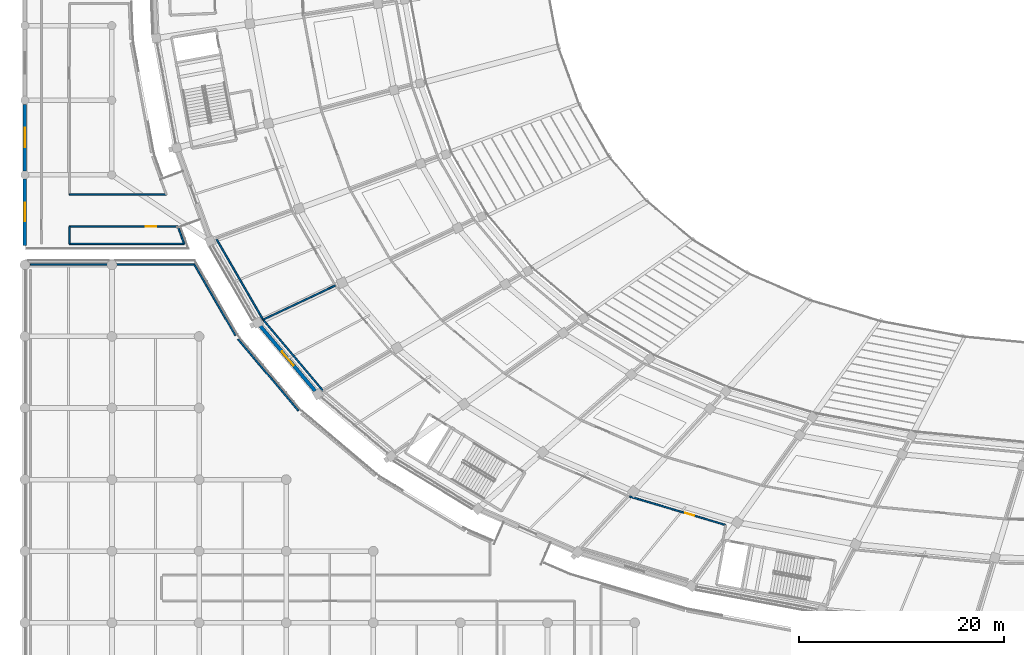
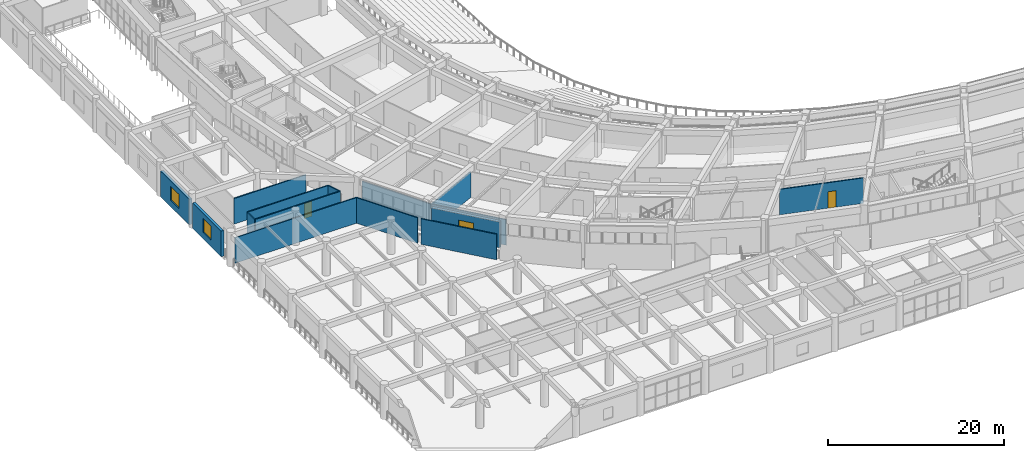
# One storey, part 95 of 152: 15 walls, 3 windows, 2 doors, 5 openings.
"""IFC4 building model written with IfcOpenShell, lengths in metres."""

from ifc_helpers import new_model, si_unit, direction, frame, frame_2d, origin, place, context, subcontext, project, spatial, rectangle, extrude, material, layer, layer_set, type_object, element, fill, save


model = new_model("IFC4")

# Units and contexts
model_context = context("Model", 3, precision=1e-05, world=origin(), true_north=direction((0.0, 1.0)))
body_context = subcontext(model_context, "Body", "Model", "MODEL_VIEW")
ifc_project = project(units=[si_unit("LENGTHUNIT", "METRE"), si_unit("AREAUNIT", "SQUARE_METRE"), si_unit("VOLUMEUNIT", "CUBIC_METRE"), si_unit("PLANEANGLEUNIT", "RADIAN"), si_unit("MASSUNIT", "GRAM", prefix="KILO")], contexts=[model_context])

# Site, building, storey
site_placement = place(None, origin())
site = spatial("IfcSite", under=ifc_project, at=site_placement, CompositionType="ELEMENT")
building_placement = place(site_placement, origin())
building = spatial("IfcBuilding", under=site, at=building_placement, Name="Mphavela Belvedere Stadium", CompositionType="ELEMENT")
storey_placement = place(building_placement, frame((0.0, 0.0, 5.39990234375)))
storey = spatial("IfcBuildingStorey", under=building, at=storey_placement, Name="L01", CompositionType="ELEMENT", Elevation=5.39990234375)

# Wall, opening, window
ifc_material_1 = material(Name="Honed ashlar limestone masonry", Category="masonry")
ifc_layer_1 = layer(ifc_material_1, 0.35009765625)
ifc_layer_set_1 = layer_set([ifc_layer_1], Name="Honed ashlar limestone masonry")
wall_type_1 = type_object("IfcWallType", Name="WAL-EXT-ASHLAR-350", PredefinedType="STANDARD", material=ifc_layer_set_1)
wall_1_placement = place(storey_placement, frame((23.030517578125, 43.015380859375, 0.0), z_axis=(0.0, 0.0, 1.0), x_axis=(0.645167090332, -0.764041507742, 0.0)))
wall_1 = element("IfcWall", 1, at=wall_1_placement, inside=storey, type_object=wall_type_1, Name="Classical ashlar facade wall L01-29", PredefinedType="STANDARD", context=body_context, shape_type="SweptSolid", body=[
    extrude(rectangle(XDim=8.305419921875, YDim=0.35009765625, at=frame_2d((4.15283203125, 0.0))), origin(), (0.0, 0.0, 1.0), 3.570068359375),
])
opening_1_placement = place(wall_1_placement, frame((3.252685546875, 0.0, 0.89990234375)))
opening_1 = element("IfcOpeningElement", 2, at=opening_1_placement, cuts=wall_1, Name="Opening W-017", PredefinedType="OPENING", context=body_context, shape_type="SweptSolid", body=[
    extrude(rectangle(XDim=1.800048828125, YDim=1.75, at=frame_2d((0.89990234375, 0.875))), frame((0.0, 0.18505859375, 0.0), z_axis=(0.0, -1.0, 0.0), x_axis=(1.0, 0.0, 0.0)), (0.0, 0.0, 1.0), 0.3701171875),
])
ifc_material_2 = material(Name="Bronze-anodised thermally broken aluminium window", Category="aluminium")
window_type_1 = type_object("IfcWindowType", Name="WIN-EXT-17", PartitioningType="SINGLE_PANEL", PredefinedType="WINDOW", material=ifc_material_2)
window_1_placement = place(opening_1_placement, origin())
window_1 = element("IfcWindow", 3, at=window_1_placement, inside=storey, type_object=window_type_1, Name="Belvedere gallery window W-017", OverallHeight=1.75, OverallWidth=1.800048828125, PartitioningType="SINGLE_PANEL", PredefinedType="WINDOW", context=body_context, shape_type="SweptSolid", body=[
    extrude(rectangle(XDim=1.800048828125, YDim=1.75, at=frame_2d((0.89990234375, 0.875))), frame((0.0, 0.030029296875, 0.0), z_axis=(0.0, -1.0, 0.0), x_axis=(1.0, 0.0, 0.0)), (0.0, 0.0, 1.0), 0.06005859375),
])
fill(opening_1, window_1)

wall_2_placement = place(storey_placement, frame((0.0, 50.89794921875, 0.0), z_axis=(0.0, 0.0, 1.0), x_axis=(0.0, 1.0, 0.0)))
wall_2 = element("IfcWall", 4, at=wall_2_placement, inside=storey, type_object=wall_type_1, Name="West Planted Eaves Peristyle Colonnade outer facade bay L01-01", PredefinedType="STANDARD", context=body_context, shape_type="SweptSolid", body=[
    extrude(rectangle(XDim=6.504150390625, YDim=0.35009765625, at=frame_2d((3.251953125, 0.0))), origin(), (0.0, 0.0, 1.0), 3.56005859375),
])
opening_2_placement = place(wall_2_placement, frame((2.35205078125, 0.0, 0.89990234375)))
opening_2 = element("IfcOpeningElement", 5, at=opening_2_placement, cuts=wall_2, Name="Opening W-248", PredefinedType="OPENING", context=body_context, shape_type="SweptSolid", body=[
    extrude(rectangle(XDim=1.800048828125, YDim=1.949951171875, at=frame_2d((0.89990234375, 0.97509765625))), frame((0.0, 0.18505859375, 0.0), z_axis=(0.0, -1.0, 0.0), x_axis=(1.0, 0.0, 0.0)), (0.0, 0.0, 1.0), 0.3701171875),
])
ifc_material_3 = material(Name="Bronze-anodised thermally broken aluminium window", Category="aluminium")
window_type_2 = type_object("IfcWindowType", Name="WIN-EXT-28", PartitioningType="SINGLE_PANEL", PredefinedType="WINDOW", material=ifc_material_3)
window_2_placement = place(opening_2_placement, origin())
window_2 = element("IfcWindow", 6, at=window_2_placement, inside=storey, type_object=window_type_2, Name="West Planted Eaves Peristyle Colonnade classical window W-248", OverallHeight=1.949951171875, OverallWidth=1.800048828125, PartitioningType="SINGLE_PANEL", PredefinedType="WINDOW", context=body_context, shape_type="SweptSolid", body=[
    extrude(rectangle(XDim=1.800048828125, YDim=1.949951171875, at=frame_2d((0.89990234375, 0.97509765625))), frame((0.0, 0.030029296875, 0.0), z_axis=(0.0, -1.0, 0.0), x_axis=(1.0, 0.0, 0.0)), (0.0, 0.0, 1.0), 0.06005859375),
])
fill(opening_2, window_2)

wall_3_placement = place(storey_placement, frame((0.0, 58.197998046875, 0.0), z_axis=(0.0, 0.0, 1.0), x_axis=(0.0, 1.0, 0.0)))
wall_3 = element("IfcWall", 7, at=wall_3_placement, inside=storey, type_object=wall_type_1, Name="West Planted Eaves Peristyle Colonnade outer facade bay L01-02", PredefinedType="STANDARD", context=body_context, shape_type="SweptSolid", body=[
    extrude(rectangle(XDim=6.50390625, YDim=0.35009765625, at=frame_2d((3.251953125, 0.0))), origin(), (0.0, 0.0, 1.0), 3.56005859375),
])
opening_3_placement = place(wall_3_placement, frame((2.281982421875, 0.0, 0.89990234375)))
opening_3 = element("IfcOpeningElement", 8, at=opening_3_placement, cuts=wall_3, Name="Opening W-249", PredefinedType="OPENING", context=body_context, shape_type="SweptSolid", body=[
    extrude(rectangle(XDim=1.93994140625, YDim=1.949951171875, at=frame_2d((0.969970703125, 0.97509765625))), frame((0.0, 0.18505859375, 0.0), z_axis=(0.0, -1.0, 0.0), x_axis=(1.0, 0.0, 0.0)), (0.0, 0.0, 1.0), 0.3701171875),
])
ifc_material_4 = material(Name="Bronze-anodised thermally broken aluminium window", Category="aluminium")
window_type_3 = type_object("IfcWindowType", Name="WIN-EXT-29", PartitioningType="SINGLE_PANEL", PredefinedType="WINDOW", material=ifc_material_4)
window_3_placement = place(opening_3_placement, origin())
window_3 = element("IfcWindow", 9, at=window_3_placement, inside=storey, type_object=window_type_3, Name="West Planted Eaves Peristyle Colonnade classical window W-249", OverallHeight=1.949951171875, OverallWidth=1.93994140625, PartitioningType="SINGLE_PANEL", PredefinedType="WINDOW", context=body_context, shape_type="SweptSolid", body=[
    extrude(rectangle(XDim=1.93994140625, YDim=1.949951171875, at=frame_2d((0.969970703125, 0.97509765625))), frame((0.0, 0.030029296875, 0.0), z_axis=(0.0, -1.0, 0.0), x_axis=(1.0, 0.0, 0.0)), (0.0, 0.0, 1.0), 0.06005859375),
])
fill(opening_3, window_3)

# Wall, opening, door
ifc_material_5 = material(Name="Acoustic gypsum stud partition assembly")
ifc_layer_2 = layer(ifc_material_5, 0.14990234375)
ifc_layer_set_2 = layer_set([ifc_layer_2], Name="Acoustic gypsum stud partition assembly")
wall_type_2 = type_object("IfcWallType", Name="WAL-PART-150", PredefinedType="PARTITIONING", material=ifc_layer_set_2)
wall_4_placement = place(storey_placement, frame((59.1337890625, 26.35009765625, 0.0), z_axis=(0.0, 0.0, 1.0), x_axis=(0.958661401763, -0.284549322211, 0.0)))
wall_4 = element("IfcWall", 10, at=wall_4_placement, inside=storey, type_object=wall_type_2, Name="Room L01-118 corridor partition", PredefinedType="PARTITIONING", context=body_context, shape_type="SweptSolid", body=[
    extrude(rectangle(XDim=9.80859375, YDim=0.14990234375, at=frame_2d((4.904296875, 0.0))), origin(), (0.0, 0.0, 1.0), 3.550048828125),
])
opening_4_placement = place(wall_4_placement, frame((5.66845703125, 0.0, 0.0)))
opening_4 = element("IfcOpeningElement", 11, at=opening_4_placement, cuts=wall_4, Name="Opening ID-134", PredefinedType="OPENING", context=body_context, shape_type="SweptSolid", body=[
    extrude(rectangle(XDim=0.93994140625, YDim=2.300048828125, at=frame_2d((0.469970703125, 1.14990234375))), frame((0.0, 0.0849609375, 0.0), z_axis=(0.0, -1.0, 0.0), x_axis=(1.0, 0.0, 0.0)), (0.0, 0.0, 1.0), 0.169921875),
])
ifc_material_6 = material(Name="Hardwood acoustic timber doorset", Category="wood")
door_type_1 = type_object("IfcDoorType", Name="DR-INT-26", OperationType="NOTDEFINED", PredefinedType="DOOR", material=ifc_material_6)
door_1_placement = place(opening_4_placement, origin())
door_1 = element("IfcDoor", 12, at=door_1_placement, inside=storey, type_object=door_type_1, Name="Room L01-118 entrance door ID-134", OperationType="SINGLE_SWING_RIGHT", OverallHeight=2.300048828125, OverallWidth=0.93994140625, PredefinedType="DOOR", context=body_context, shape_type="SweptSolid", body=[
    extrude(rectangle(XDim=0.93994140625, YDim=2.300048828125, at=frame_2d((0.469970703125, 1.14990234375))), frame((0.0, 0.02490234375, 0.0), z_axis=(0.0, -1.0, 0.0), x_axis=(1.0, 0.0, 0.0)), (0.0, 0.0, 1.0), 0.050048828125),
])
fill(opening_4, door_1)

wall_5_placement = place(storey_placement, frame((4.360107421875, 52.739990234375, 0.0), z_axis=(0.0, 0.0, 1.0), x_axis=(1.0, 0.0, 0.0)))
wall_5 = element("IfcWall", 13, at=wall_5_placement, inside=storey, type_object=wall_type_2, Name="Room L01-193 corridor partition", PredefinedType="PARTITIONING", context=body_context, shape_type="SweptSolid", body=[
    extrude(rectangle(XDim=10.6083984375, YDim=0.14990234375, at=frame_2d((5.30419921875, 0.0))), origin(), (0.0, 0.0, 1.0), 3.550048828125),
])
opening_5_placement = place(wall_5_placement, frame((7.478759765625, 0.0, 0.0)))
opening_5 = element("IfcOpeningElement", 14, at=opening_5_placement, cuts=wall_5, Name="Opening ID-508", PredefinedType="OPENING", context=body_context, shape_type="SweptSolid", body=[
    extrude(rectangle(XDim=1.02001953125, YDim=2.10009765625, at=frame_2d((0.510009765625, 1.050048828125))), frame((0.0, 0.0849609375, 0.0), z_axis=(0.0, -1.0, 0.0), x_axis=(1.0, 0.0, 0.0)), (0.0, 0.0, 1.0), 0.169921875),
])
ifc_material_7 = material(Name="Hardwood acoustic timber doorset", Category="wood")
door_type_2 = type_object("IfcDoorType", Name="DR-INT-04", OperationType="NOTDEFINED", PredefinedType="DOOR", material=ifc_material_7)
door_2_placement = place(opening_5_placement, origin())
door_2 = element("IfcDoor", 15, at=door_2_placement, inside=storey, type_object=door_type_2, Name="Room L01-193 entrance door ID-508", OperationType="SINGLE_SWING_RIGHT", OverallHeight=2.10009765625, OverallWidth=1.02001953125, PredefinedType="DOOR", context=body_context, shape_type="SweptSolid", body=[
    extrude(rectangle(XDim=1.02001953125, YDim=2.10009765625, at=frame_2d((0.510009765625, 1.050048828125))), frame((0.0, 0.02490234375, 0.0), z_axis=(0.0, -1.0, 0.0), x_axis=(1.0, 0.0, 0.0)), (0.0, 0.0, 1.0), 0.050048828125),
])
fill(opening_5, door_2)

# Walls
wall_6_placement = place(storey_placement, frame((30.35888671875, 46.98095703125, 0.0), z_axis=(0.0, 0.0, 1.0), x_axis=(-0.903854859666, -0.427839213559, 0.0)))
element("IfcWall", 16, at=wall_6_placement, inside=storey, type_object=wall_type_2, Name="Room divider partition L01-0220", PredefinedType="PARTITIONING", context=body_context, shape_type="SweptSolid", body=[
    extrude(rectangle(XDim=7.814208984375, YDim=0.14990234375, at=frame_2d((3.9072265625, 0.0))), origin(), (0.0, 0.0, 1.0), 3.550048828125),
])
wall_7_placement = place(storey_placement, frame((23.2958984375, 43.6376953125, 0.0), z_axis=(0.0, 0.0, 1.0), x_axis=(-0.500574107164, 0.865693689036, 0.0)))
element("IfcWall", 17, at=wall_7_placement, inside=storey, type_object=wall_type_2, Name="Room divider partition L01-0221", PredefinedType="PARTITIONING", context=body_context, shape_type="SweptSolid", body=[
    extrude(rectangle(XDim=9.080322265625, YDim=0.14990234375, at=frame_2d((4.5400390625, 0.0))), origin(), (0.0, 0.0, 1.0), 3.550048828125),
])
wall_8_placement = place(storey_placement, frame((29.1591796875, 36.684814453125, 0.0), z_axis=(0.0, 0.0, 1.0), x_axis=(-0.645166061073, 0.764042376861, 0.0)))
element("IfcWall", 18, at=wall_8_placement, inside=storey, type_object=wall_type_2, Name="Room divider partition L01-0225", PredefinedType="PARTITIONING", context=body_context, shape_type="SweptSolid", body=[
    extrude(rectangle(XDim=9.013916015625, YDim=0.14990234375, at=frame_2d((4.5068359375, 0.0))), origin(), (0.0, 0.0, 1.0), 3.550048828125),
])
wall_9_placement = place(storey_placement, frame((20.847412109375, 41.7255859375, 0.0), z_axis=(0.0, 0.0, 1.0), x_axis=(0.645180125691, -0.764030500316, 0.0)))
element("IfcWall", 19, at=wall_9_placement, inside=storey, type_object=wall_type_2, Name="Room divider partition L01-0700", PredefinedType="PARTITIONING", context=body_context, shape_type="SweptSolid", body=[
    extrude(rectangle(XDim=9.1513671875, YDim=0.14990234375, at=frame_2d((4.57568359375, 0.0))), origin(), (0.0, 0.0, 1.0), 3.550048828125),
])
wall_10_placement = place(storey_placement, frame((0.550048828125, 49.050048828125, 0.0), z_axis=(0.0, 0.0, 1.0), x_axis=(1.0, 0.0, 0.0)))
element("IfcWall", 20, at=wall_10_placement, inside=storey, type_object=wall_type_2, Name="Room divider partition L01-0709", PredefinedType="PARTITIONING", context=body_context, shape_type="SweptSolid", body=[
    extrude(rectangle(XDim=16.017333984375, YDim=0.14990234375, at=frame_2d((8.0087890625, 0.0))), origin(), (0.0, 0.0, 1.0), 3.550048828125),
])
wall_11_placement = place(storey_placement, frame((16.5673828125, 49.050048828125, 0.0), z_axis=(0.0, 0.0, 1.0), x_axis=(0.500545605998, -0.865710168773, 0.0)))
element("IfcWall", 21, at=wall_11_placement, inside=storey, type_object=wall_type_2, Name="Room divider partition L01-0710", PredefinedType="PARTITIONING", context=body_context, shape_type="SweptSolid", body=[
    extrude(rectangle(XDim=8.04296875, YDim=0.14990234375, at=frame_2d((4.021484375, 0.0))), origin(), (0.0, 0.0, 1.0), 3.550048828125),
])
wall_12_placement = place(storey_placement, frame((14.968505859375, 52.739990234375, 0.0), z_axis=(0.0, 0.0, 1.0), x_axis=(0.341012375502, -0.940058806541, 0.0)))
element("IfcWall", 22, at=wall_12_placement, inside=storey, type_object=wall_type_2, Name="Room divider partition L01-1151", PredefinedType="PARTITIONING", context=body_context, shape_type="SweptSolid", body=[
    extrude(rectangle(XDim=1.797607421875, YDim=0.14990234375, at=frame_2d((0.89892578125, 0.0))), origin(), (0.0, 0.0, 1.0), 3.550048828125),
])
wall_13_placement = place(storey_placement, frame((15.58154296875, 51.050048828125, 0.0), z_axis=(0.0, 0.0, 1.0), x_axis=(-1.0, 0.0, 0.0)))
element("IfcWall", 23, at=wall_13_placement, inside=storey, type_object=wall_type_2, Name="Room divider partition L01-1152", PredefinedType="PARTITIONING", context=body_context, shape_type="SweptSolid", body=[
    extrude(rectangle(XDim=11.221435546875, YDim=0.14990234375, at=frame_2d((5.61083984375, 0.0))), origin(), (0.0, 0.0, 1.0), 3.550048828125),
])
wall_14_placement = place(storey_placement, frame((4.360107421875, 51.050048828125, 0.0), z_axis=(0.0, 0.0, 1.0), x_axis=(0.0, 1.0, 0.0)))
element("IfcWall", 24, at=wall_14_placement, inside=storey, type_object=wall_type_2, Name="Room divider partition L01-1153", PredefinedType="PARTITIONING", context=body_context, shape_type="SweptSolid", body=[
    extrude(rectangle(XDim=1.68994140625, YDim=0.14990234375, at=frame_2d((0.844970703125, 0.0))), origin(), (0.0, 0.0, 1.0), 3.550048828125),
])
wall_15_placement = place(storey_placement, frame((13.836669921875, 55.860107421875, 0.0), z_axis=(0.0, 0.0, 1.0), x_axis=(-1.0, 0.0, 0.0)))
element("IfcWall", 25, at=wall_15_placement, inside=storey, type_object=wall_type_2, Name="Room divider partition L01-1156", PredefinedType="PARTITIONING", context=body_context, shape_type="SweptSolid", body=[
    extrude(rectangle(XDim=9.4765625, YDim=0.14990234375, at=frame_2d((4.73828125, 0.0))), origin(), (0.0, 0.0, 1.0), 3.550048828125),
])

save(model, "model.ifc")
